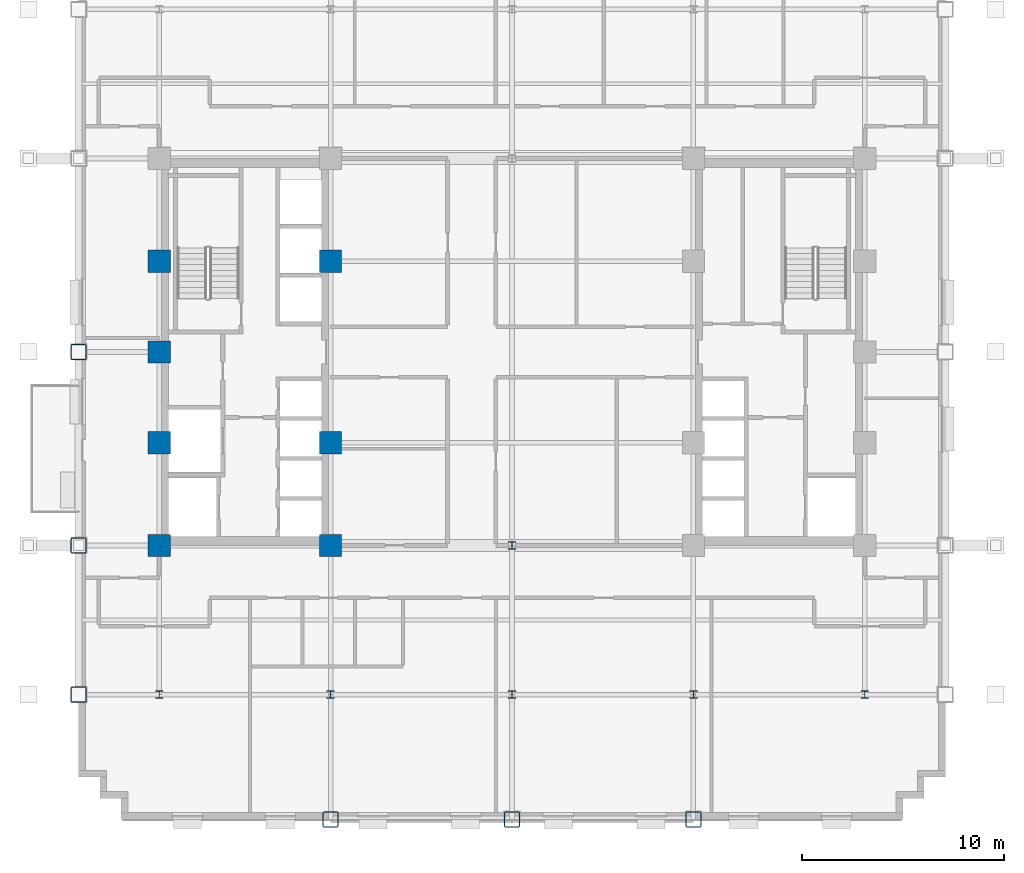
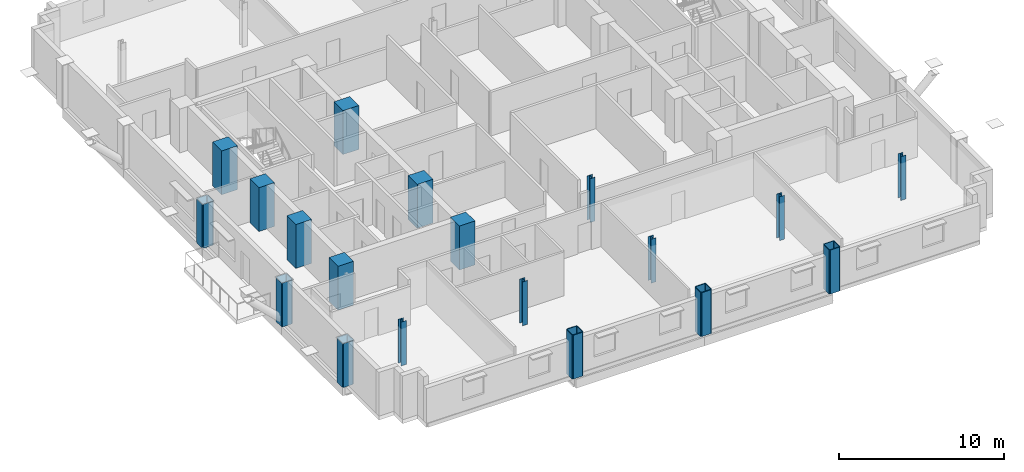
# One storey, part 1 of 13: 19 columns.
"""IFC4 building model written with IfcOpenShell, lengths in metres."""

from ifc_helpers import new_model, si_unit, direction, frame, origin, origin_2d, place, context, subcontext, project, spatial, rectangle, hollow_rectangle, i_section, extrude, material, material_profile, profile_set, type_object, element, save


model = new_model("IFC4")

# Units and contexts
model_context = context("Model", 3, precision=1e-05, world=origin(), true_north=direction((0.0, 1.0)))
body_context = subcontext(model_context, "Body", "Model", "MODEL_VIEW")
ifc_project = project(units=[si_unit("LENGTHUNIT", "METRE"), si_unit("AREAUNIT", "SQUARE_METRE"), si_unit("VOLUMEUNIT", "CUBIC_METRE"), si_unit("PLANEANGLEUNIT", "RADIAN"), si_unit("MASSUNIT", "GRAM", prefix="KILO")], contexts=[model_context])

# Site, building, storey
site_placement = place(None, origin())
site = spatial("IfcSite", under=ifc_project, at=site_placement, CompositionType="ELEMENT")
building_placement = place(site_placement, origin())
building = spatial("IfcBuilding", under=site, at=building_placement, Name="Nuvemarco Arch Tower", CompositionType="ELEMENT")
storey_placement = place(building_placement, frame((0.0, 0.0, 82.35009765625)))
storey = spatial("IfcBuildingStorey", under=building, at=storey_placement, Name="L21", CompositionType="ELEMENT", Elevation=82.35009765625)

# Columns
ifc_material_1 = material(Name="Concrete C60/75", Category="concrete")
ifc_material_profile_1 = material_profile(ifc_material_1, rectangle(XDim=1.10009765625, YDim=1.10009765625, at=origin_2d()), Name="RC-COL-1100x1100")
ifc_profile_set_1 = profile_set([ifc_material_profile_1], Name="Concrete C60/75")
column_type_1 = type_object("IfcColumnType", Name="COL-CORE-1100", PredefinedType="COLUMN", material=ifc_profile_set_1)
for number, where, z_axis, x_axis, name in (
    (1, (-17.5, -9.60009765625, 0.0), (0.0, 0.0, 1.0), (1.0, 0.0, 0.0), "L21 column CC_-17.5_-9.6"),
    (2, (-17.5, -4.5, 0.0), (0.0, 0.0, 1.0), (1.0, 0.0, 0.0), "L21 column CC_-17.5_-4.5"),
    (3, (-17.5, 4.5, 0.0), (0.0, 0.0, 1.0), (1.0, 0.0, 0.0), "L21 column CC_-17.5_+4.5"),
    (4, (-9.0, -9.60009765625, 0.0), (0.0, 0.0, 1.0), (1.0, 0.0, 0.0), "L21 column CC_-9.0_-9.6"),
    (5, (-9.0, -4.5, 0.0), (0.0, 0.0, 1.0), (1.0, 0.0, 0.0), "L21 column CC_-9.0_-4.5"),
    (6, (-9.0, 4.5, 0.0), (0.0, 0.0, 1.0), (1.0, 0.0, 0.0), "L21 column CC_-9.0_+4.5"),
    (7, (-17.5, 0.0, 0.0), (0.0, 0.0, 1.0), (1.0, 0.0, 0.0), "L21 column CC_-17.5_+0.0"),
):
    element("IfcColumn", number, at=place(storey_placement, frame(where, z_axis=z_axis, x_axis=x_axis)), inside=storey, type_object=column_type_1, Name=name, PredefinedType="COLUMN", context=body_context, shape_type="SweptSolid", body=[
        extrude(rectangle(XDim=1.10009765625, YDim=1.10009765625, at=origin_2d()), origin(), (0.0, 0.0, 1.0), 3.25),
    ])
ifc_material_2 = material(Name="Steel S460", Category="steel")
ifc_material_profile_2 = material_profile(ifc_material_2, hollow_rectangle(XDim=0.800048828125, YDim=0.800048828125, WallThickness=0.054931640625, InnerFilletRadius=0.054931640625, OuterFilletRadius=0.110107421875, at=origin_2d()), Name="SHS800x800x55")
ifc_profile_set_2 = profile_set([ifc_material_profile_2], Name="Steel S460")
column_type_2 = type_object("IfcColumnType", Name="COL-EXO-800", PredefinedType="COLUMN", material=ifc_profile_set_2)
for number, where, z_axis, x_axis, name in (
    (8, (-21.5, -17.0, 0.0), (0.0, 0.0, 1.0), (1.0, 0.0, 0.0), "L21 column CX_-21.5_-17.0"),
    (9, (-21.5, -9.60009765625, 0.0), (0.0, 0.0, 1.0), (1.0, 0.0, 0.0), "L21 column CX_-21.5_-9.6"),
    (10, (-21.5, 0.0, 0.0), (0.0, 0.0, 1.0), (1.0, 0.0, 0.0), "L21 column CX_-21.5_+0.0"),
    (11, (-9.0, -23.199951171875, 0.0), (0.0, 0.0, 1.0), (1.0, 0.0, 0.0), "L21 column CY_-9.0_-23.2"),
    (12, (0.0, -23.199951171875, 0.0), (0.0, 0.0, 1.0), (1.0, 0.0, 0.0), "L21 column CY_+0.0_-23.2"),
    (13, (9.0, -23.199951171875, 0.0), (0.0, 0.0, 1.0), (1.0, 0.0, 0.0), "L21 column CY_+9.0_-23.2"),
):
    element("IfcColumn", number, at=place(storey_placement, frame(where, z_axis=z_axis, x_axis=x_axis)), inside=storey, type_object=column_type_2, Name=name, PredefinedType="COLUMN", context=body_context, shape_type="SweptSolid", body=[
        extrude(hollow_rectangle(XDim=0.800048828125, YDim=0.800048828125, WallThickness=0.054931640625, InnerFilletRadius=0.054931640625, OuterFilletRadius=0.110107421875, at=origin_2d()), origin(), (0.0, 0.0, 1.0), 3.25),
    ])
ifc_material_3 = material(Name="Steel S355", Category="steel")
ifc_material_profile_3 = material_profile(ifc_material_3, i_section(OverallWidth=0.360107421875, OverallDepth=0.360107421875, WebThickness=0.0205078125, FlangeThickness=0.0205078125, FilletRadius=0.01806640625, at=origin_2d()), Name="HP360x174")
ifc_profile_set_3 = profile_set([ifc_material_profile_3], Name="Steel S355")
column_type_3 = type_object("IfcColumnType", Name="COL-STL-HP360", PredefinedType="COLUMN", material=ifc_profile_set_3)
for number, where, z_axis, x_axis, name in (
    (14, (0.0, -17.0, 0.0), (0.0, 0.0, 1.0), (1.0, 0.0, 0.0), "L21 column CI_+0.0_-17.0"),
    (15, (0.0, -9.60009765625, 0.0), (0.0, 0.0, 1.0), (1.0, 0.0, 0.0), "L21 column CI_+0.0_-9.6"),
    (16, (-17.5, -17.0, 0.0), (0.0, 0.0, 1.0), (1.0, 0.0, 0.0), "L21 column CI_-17.5_-17.0"),
    (17, (-9.0, -17.0, 0.0), (0.0, 0.0, 1.0), (1.0, 0.0, 0.0), "L21 column CI_-9.0_-17.0"),
    (18, (9.0, -17.0, 0.0), (0.0, 0.0, 1.0), (1.0, 0.0, 0.0), "L21 column CI_+9.0_-17.0"),
    (19, (17.5, -17.0, 0.0), (0.0, 0.0, 1.0), (1.0, 0.0, 0.0), "L21 column CI_+17.5_-17.0"),
):
    element("IfcColumn", number, at=place(storey_placement, frame(where, z_axis=z_axis, x_axis=x_axis)), inside=storey, type_object=column_type_3, Name=name, PredefinedType="COLUMN", context=body_context, shape_type="SweptSolid", body=[
        extrude(i_section(OverallWidth=0.360107421875, OverallDepth=0.360107421875, WebThickness=0.0205078125, FlangeThickness=0.0205078125, FilletRadius=0.01806640625, at=origin_2d()), origin(), (0.0, 0.0, 1.0), 3.25),
    ])

save(model, "model.ifc")
